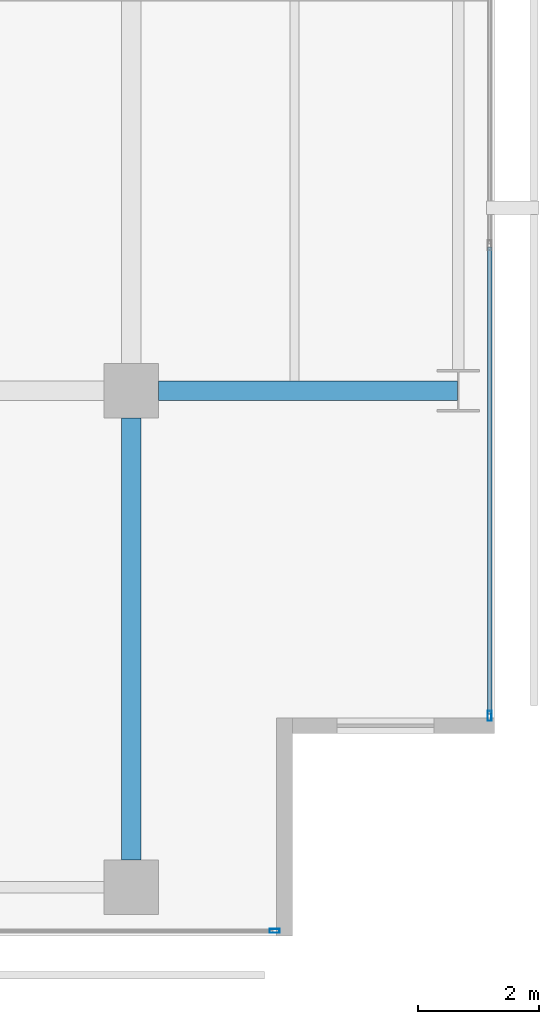
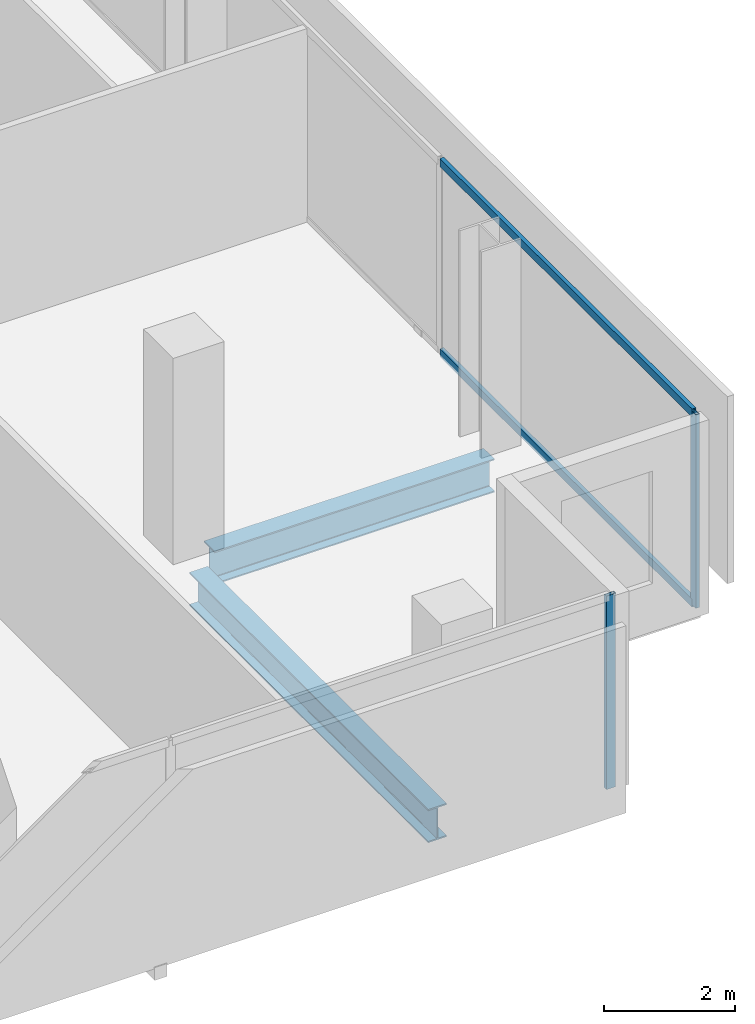
# One storey, part 16 of 39: 4 members, 2 beams, 2 elements without a shape of their own.
"""IFC4 building model written with IfcOpenShell, lengths in metres."""

from ifc_helpers import new_model, si_unit, direction, frame, origin, origin_2d, place, context, subcontext, project, spatial, hollow_rectangle, i_section, extrude, material, layer, layer_set, material_profile, profile_set, type_object, element, aggregate, save


model = new_model("IFC4")

# Units and contexts
model_context = context("Model", 3, precision=1e-05, world=origin(), true_north=direction((0.0, 1.0)))
body_context = subcontext(model_context, "Body", "Model", "MODEL_VIEW")
ifc_project = project(units=[si_unit("LENGTHUNIT", "METRE"), si_unit("AREAUNIT", "SQUARE_METRE"), si_unit("VOLUMEUNIT", "CUBIC_METRE"), si_unit("PLANEANGLEUNIT", "RADIAN"), si_unit("MASSUNIT", "GRAM", prefix="KILO")], contexts=[model_context])

# Site, building, storey
site_placement = place(None, origin())
site = spatial("IfcSite", under=ifc_project, at=site_placement, CompositionType="ELEMENT")
building_placement = place(site_placement, origin())
building = spatial("IfcBuilding", under=site, at=building_placement, Name="Maruvema Waterfront Hotel and Observation Tower", CompositionType="ELEMENT")
storey_placement = place(building_placement, frame((0.0, 0.0, 65.449951171875)))
storey = spatial("IfcBuildingStorey", under=building, at=storey_placement, Name="L15", CompositionType="ELEMENT", Elevation=65.449951171875)

# Curtain wall, members
ifc_material_1 = material(Name="Anodised bronze aluminium and solar-control low-E IGU", Category="aluminium")
ifc_layer = layer(ifc_material_1, 0.159912109375, Name="Zone 1 Bronze Inner Thermal Curtain Wall System CW-02")
ifc_layer_set = layer_set([ifc_layer], Name="Anodised bronze aluminium and solar-control low-E IGU")
curtain_wall_type = type_object("IfcCurtainWallType", Name="Zone 1 Bronze Inner Thermal Curtain Wall System CW-02", PredefinedType="USERDEFINED", material=ifc_layer_set)
curtain_wall_1_placement = place(storey_placement, origin())
curtain_wall_1 = element("IfcCurtainWall", 1, at=curtain_wall_1_placement, inside=storey, type_object=curtain_wall_type, Name="L15 Curtain Wall CW-L15-E", ObjectType="UNITISED CURTAIN WALL", PredefinedType="USERDEFINED")
ifc_material_2 = material(Name="Anodised architectural bronze aluminium", Category="aluminium")
ifc_material_profile_1 = material_profile(ifc_material_2, hollow_rectangle(XDim=0.070068359375, YDim=0.14990234375, WallThickness=0.00390625, at=origin_2d()), Name="ALU-T70x150")
ifc_profile_set_1 = profile_set([ifc_material_profile_1], Name="Anodised architectural bronze aluminium")
member_type_1 = type_object("IfcMemberType", Name="Curtain Wall Horizontal Transom ALU-T70x150", PredefinedType="USERDEFINED", material=ifc_profile_set_1)
member_1_placement = place(storey_placement, frame((64.719970703125, 3.659912109375, 0.030029296875), z_axis=(0.0, 1.0, 0.0), x_axis=(-1.0, 0.0, 0.0)))
member_1 = element("IfcMember", 2, at=member_1_placement, type_object=member_type_1, Name="CW-02 transom 1.1", ObjectType="TRANSOM", PredefinedType="USERDEFINED", context=body_context, shape_type="SweptSolid", body=[
    extrude(hollow_rectangle(XDim=0.070068359375, YDim=0.14990234375, WallThickness=0.00390625, at=origin_2d()), origin(), (0.0, 0.0, 1.0), 7.710205078125),
])
member_2_placement = place(storey_placement, frame((64.719970703125, 3.659912109375, 3.580078125), z_axis=(0.0, 1.0, 0.0), x_axis=(-1.0, 0.0, 0.0)))
member_2 = element("IfcMember", 3, at=member_2_placement, type_object=member_type_1, Name="CW-02 transom 1.2", ObjectType="TRANSOM", PredefinedType="USERDEFINED", context=body_context, shape_type="SweptSolid", body=[
    extrude(hollow_rectangle(XDim=0.070068359375, YDim=0.14990234375, WallThickness=0.00390625, at=origin_2d()), origin(), (0.0, 0.0, 1.0), 7.710205078125),
])

# Curtain wall, member
curtain_wall_2_placement = place(storey_placement, origin())
curtain_wall_2 = element("IfcCurtainWall", 4, at=curtain_wall_2_placement, inside=storey, type_object=curtain_wall_type, Name="L15 Curtain Wall CW-L15-S", ObjectType="UNITISED CURTAIN WALL", PredefinedType="USERDEFINED")
ifc_material_3 = material(Name="Anodised architectural bronze aluminium", Category="aluminium")
ifc_material_profile_2 = material_profile(ifc_material_3, hollow_rectangle(XDim=0.06494140625, YDim=0.1650390625, WallThickness=0.00390625, at=origin_2d()), Name="ALU-M65x165")
ifc_profile_set_2 = profile_set([ifc_material_profile_2], Name="Anodised architectural bronze aluminium")
member_type_2 = type_object("IfcMemberType", Name="Curtain Wall Primary Mullion ALU-M65x165", PredefinedType="MULLION", material=ifc_profile_set_2)
member_3_placement = place(storey_placement, frame((61.169921875, 0.080078125, 0.0), z_axis=(0.0, 0.0, 1.0), x_axis=(0.0, 1.0, 0.0)))
member_3 = element("IfcMember", 5, at=member_3_placement, type_object=member_type_2, Name="CW-02 mullion 7", PredefinedType="MULLION", context=body_context, shape_type="SweptSolid", body=[
    extrude(hollow_rectangle(XDim=0.06494140625, YDim=0.1650390625, WallThickness=0.00390625, at=origin_2d()), origin(), (0.0, 0.0, 1.0), 3.610107421875),
])
aggregate(curtain_wall_2, [member_3])

# Member
member_4_placement = place(storey_placement, frame((64.719970703125, 3.6298828125, 0.0), z_axis=(0.0, 0.0, 1.0), x_axis=(-1.0, 0.0, 0.0)))
member_4 = element("IfcMember", 6, at=member_4_placement, type_object=member_type_2, Name="CW-02 mullion 1", PredefinedType="MULLION", context=body_context, shape_type="SweptSolid", body=[
    extrude(hollow_rectangle(XDim=0.06494140625, YDim=0.1650390625, WallThickness=0.00390625, at=origin_2d()), origin(), (0.0, 0.0, 1.0), 3.610107421875),
])

aggregate(curtain_wall_1, [member_4, member_1, member_2])

# Beams
ifc_material_4 = material(Name="Steel ASTM A572 Grade 50", Category="steel")
ifc_material_profile_3 = material_profile(ifc_material_4, i_section(OverallWidth=0.326904296875, OverallDepth=0.6220703125, WebThickness=0.015380859375, FlangeThickness=0.0244140625, FilletRadius=0.01806640625, at=origin_2d()), Name="W610x195.0")
ifc_profile_set_3 = profile_set([ifc_material_profile_3], Name="Steel ASTM A572 Grade 50")
beam_type = type_object("IfcBeamType", Name="Primary Floor Girder W610x195.0", PredefinedType="BEAM", material=ifc_profile_set_3)
beam_1_placement = place(storey_placement, frame((59.25, 9.0, -0.551025390625), z_axis=(1.0, 0.0, 0.0), x_axis=(0.0, 1.0, 0.0)))
element("IfcBeam", 7, at=beam_1_placement, inside=storey, type_object=beam_type, Name="L15 Floor Girder EW-12", PredefinedType="BEAM", context=body_context, shape_type="SweptSolid", body=[
    extrude(i_section(OverallWidth=0.326904296875, OverallDepth=0.6220703125, WebThickness=0.015380859375, FlangeThickness=0.0244140625, FilletRadius=0.01806640625, at=origin_2d()), origin(), (0.0, 0.0, 1.0), 4.93603515625),
])
beam_2_placement = place(storey_placement, frame((58.800048828125, 1.25, -0.551025390625), z_axis=(0.0, 1.0, 0.0), x_axis=(-1.0, 0.0, 0.0)))
element("IfcBeam", 8, at=beam_2_placement, inside=storey, type_object=beam_type, Name="L15 Floor Girder NS-27", PredefinedType="BEAM", context=body_context, shape_type="SweptSolid", body=[
    extrude(i_section(OverallWidth=0.326904296875, OverallDepth=0.6220703125, WebThickness=0.015380859375, FlangeThickness=0.0244140625, FilletRadius=0.01806640625, at=origin_2d()), origin(), (0.0, 0.0, 1.0), 7.300048828125),
])

save(model, "model.ifc")
